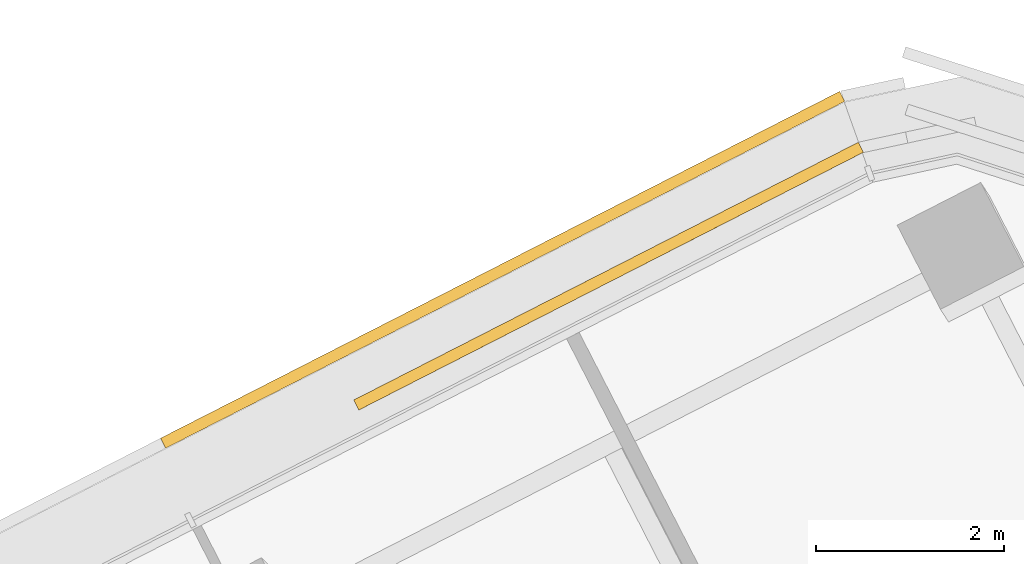
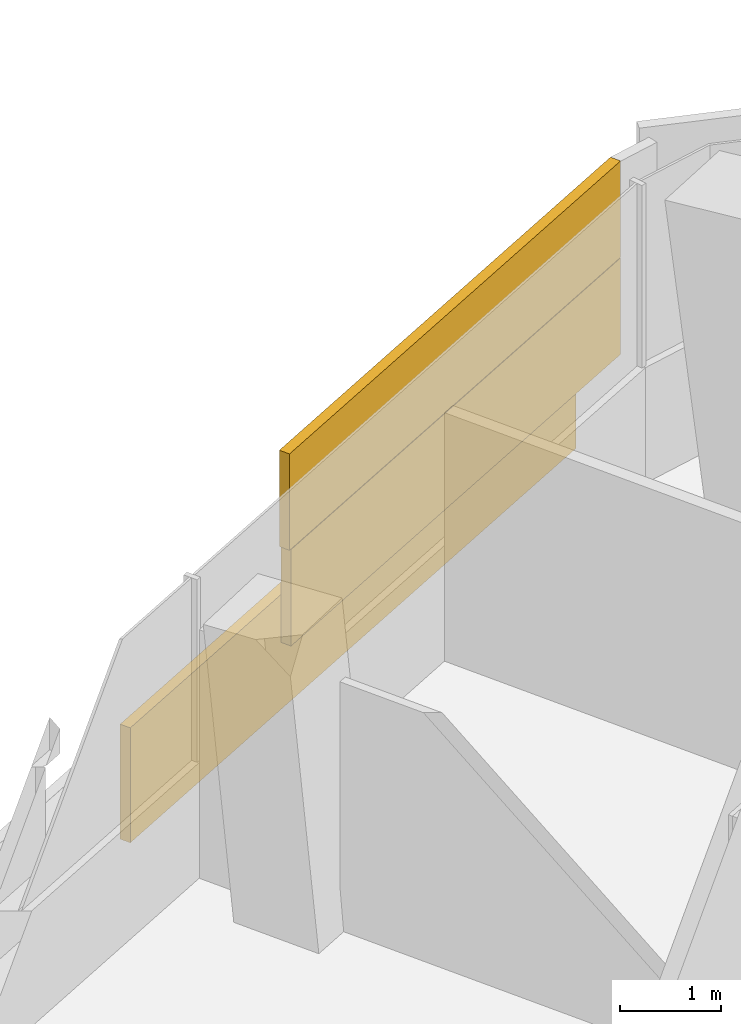
# One storey, part 36 of 37: 1 covering.
"""IFC4 building model written with IfcOpenShell, lengths in metres."""

from ifc_helpers import new_model, si_unit, direction, frame, origin, origin_2d, place, context, subcontext, project, spatial, rectangle, extrude, material, layer, layer_set, type_object, element, save


model = new_model("IFC4")

# Units and contexts
model_context = context("Model", 3, precision=1e-05, world=origin(), true_north=direction((0.0, 1.0)))
body_context = subcontext(model_context, "Body", "Model", "MODEL_VIEW")
ifc_project = project(units=[si_unit("LENGTHUNIT", "METRE"), si_unit("AREAUNIT", "SQUARE_METRE"), si_unit("VOLUMEUNIT", "CUBIC_METRE"), si_unit("PLANEANGLEUNIT", "RADIAN"), si_unit("MASSUNIT", "GRAM", prefix="KILO")], contexts=[model_context])

# Site, building, storey
site_placement = place(None, origin())
site = spatial("IfcSite", under=ifc_project, at=site_placement, CompositionType="ELEMENT")
building_placement = place(site_placement, origin())
building = spatial("IfcBuilding", under=site, at=building_placement, Name="Tamarind Cross Interchange Tower", CompositionType="ELEMENT")
storey_placement = place(building_placement, frame((0.0, 0.0, 133.0)))
storey = spatial("IfcBuildingStorey", under=building, at=storey_placement, Name="L32", CompositionType="ELEMENT", Elevation=133.0)

# Covering
ifc_material = material(Name="Terracotta", Category="masonry")
ifc_layer = layer(ifc_material, 0.1201171875)
ifc_layer_set = layer_set([ifc_layer], Name="Terracotta")
covering_type = type_object("IfcCoveringType", Name="Terracotta baguette screen unit", PredefinedType="MOLDING", material=ifc_layer_set)
covering_placement = place(storey_placement, origin())
element("IfcCovering", 1, at=covering_placement, inside=storey, type_object=covering_type, Name="SCR-L32-09-00", PredefinedType="MOLDING", context=body_context, shape_type="SweptSolid", body=[
    extrude(rectangle(XDim=1.510009765625, YDim=0.1201171875, at=origin_2d()), frame((40.732421875, 17.583251953125, 1.404052734375), z_axis=(0.0, 0.0, 1.0), x_axis=(-0.890569845562, -0.454846512766, 0.0)), (0.0, 0.0, 1.0), 1.1669921875),
    extrude(rectangle(XDim=1.52001953125, YDim=0.1201171875, at=origin_2d()), frame((39.396728515625, 16.90087890625, 1.404052734375), z_axis=(0.0, 0.0, 1.0), x_axis=(-0.890569845562, -0.454846512766, 0.0)), (0.0, 0.0, 1.0), 1.1669921875),
    extrude(rectangle(XDim=1.52001953125, YDim=0.1201171875, at=origin_2d()), frame((38.060791015625, 16.21875, 1.404052734375), z_axis=(0.0, 0.0, 1.0), x_axis=(-0.890569845562, -0.454846512766, 0.0)), (0.0, 0.0, 1.0), 1.1669921875),
    extrude(rectangle(XDim=1.52001953125, YDim=0.1201171875, at=origin_2d()), frame((36.724853515625, 15.536376953125, 1.404052734375), z_axis=(0.0, 0.0, 1.0), x_axis=(-0.890569845562, -0.454846512766, 0.0)), (0.0, 0.0, 1.0), 1.1669921875),
    extrude(rectangle(XDim=0.760009765625, YDim=0.1201171875, at=origin_2d()), frame((41.06640625, 17.75390625, 2.5791015625), z_axis=(0.0, 0.0, 1.0), x_axis=(-0.890569845562, -0.454846512766, 0.0)), (0.0, 0.0, 1.0), 1.1669921875),
    extrude(rectangle(XDim=1.52001953125, YDim=0.1201171875, at=origin_2d()), frame((40.064453125, 17.2421875, 2.5791015625), z_axis=(0.0, 0.0, 1.0), x_axis=(-0.890569845562, -0.454846512766, 0.0)), (0.0, 0.0, 1.0), 1.1669921875),
    extrude(rectangle(XDim=1.52001953125, YDim=0.1201171875, at=origin_2d()), frame((38.728759765625, 16.559814453125, 2.5791015625), z_axis=(0.0, 0.0, 1.0), x_axis=(-0.890569845562, -0.454846512766, 0.0)), (0.0, 0.0, 1.0), 1.1669921875),
    extrude(rectangle(XDim=1.52001953125, YDim=0.1201171875, at=origin_2d()), frame((37.392822265625, 15.877685546875, 2.5791015625), z_axis=(0.0, 0.0, 1.0), x_axis=(-0.890569845562, -0.454846512766, 0.0)), (0.0, 0.0, 1.0), 1.1669921875),
    extrude(rectangle(XDim=0.7919921875, YDim=0.1201171875, at=origin_2d()), frame((36.376708984375, 15.358642578125, 2.5791015625), z_axis=(0.0, 0.0, 1.0), x_axis=(-0.890569845562, -0.454846512766, 0.0)), (0.0, 0.0, 1.0), 1.1669921875),
    extrude(rectangle(XDim=1.510009765625, YDim=0.1201171875, at=origin_2d()), frame((40.53369140625, 18.126220703125, 0.00390625), z_axis=(0.0, 0.0, 1.0), x_axis=(-0.890569845562, -0.454846512766, 0.0)), (0.0, 0.0, 1.0), 1.39208984375),
    extrude(rectangle(XDim=1.52001953125, YDim=0.1201171875, at=origin_2d()), frame((39.202392578125, 17.4462890625, 0.00390625), z_axis=(0.0, 0.0, 1.0), x_axis=(-0.890569845562, -0.454846512766, 0.0)), (0.0, 0.0, 1.0), 1.39208984375),
    extrude(rectangle(XDim=1.52001953125, YDim=0.1201171875, at=origin_2d()), frame((37.866455078125, 16.763916015625, 0.00390625), z_axis=(0.0, 0.0, 1.0), x_axis=(-0.890569845562, -0.454846512766, 0.0)), (0.0, 0.0, 1.0), 1.39208984375),
    extrude(rectangle(XDim=1.52001953125, YDim=0.1201171875, at=origin_2d()), frame((36.53076171875, 16.081787109375, 0.00390625), z_axis=(0.0, 0.0, 1.0), x_axis=(-0.890569845562, -0.454846512766, 0.0)), (0.0, 0.0, 1.0), 1.39208984375),
    extrude(rectangle(XDim=1.52001953125, YDim=0.1201171875, at=origin_2d()), frame((35.19482421875, 15.3994140625, 0.00390625), z_axis=(0.0, 0.0, 1.0), x_axis=(-0.890569845562, -0.454846512766, 0.0)), (0.0, 0.0, 1.0), 1.39208984375),
    extrude(rectangle(XDim=0.6416015625, YDim=0.1201171875, at=origin_2d()), frame((34.25, 14.9169921875, 0.00390625), z_axis=(0.0, 0.0, 1.0), x_axis=(-0.890569845562, -0.454846512766, 0.0)), (0.0, 0.0, 1.0), 1.39208984375),
])

save(model, "model.ifc")
